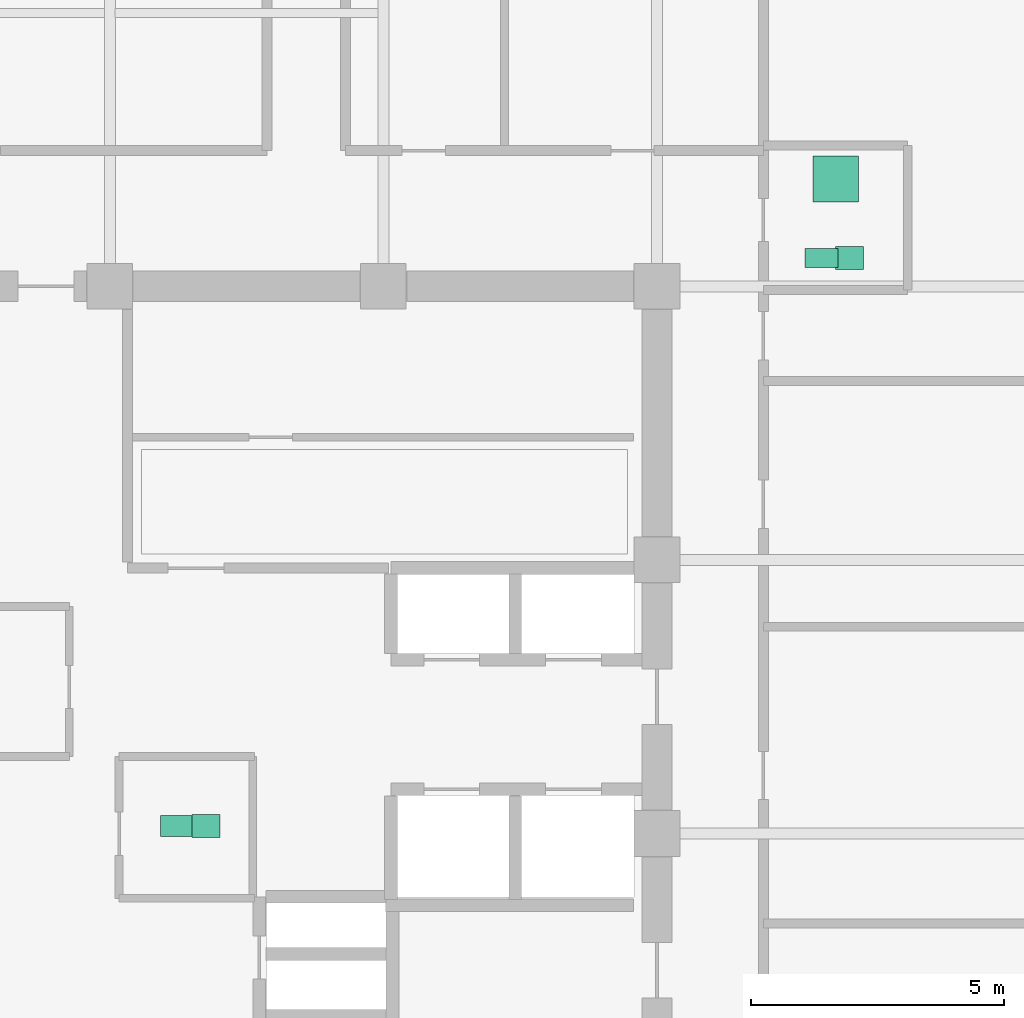
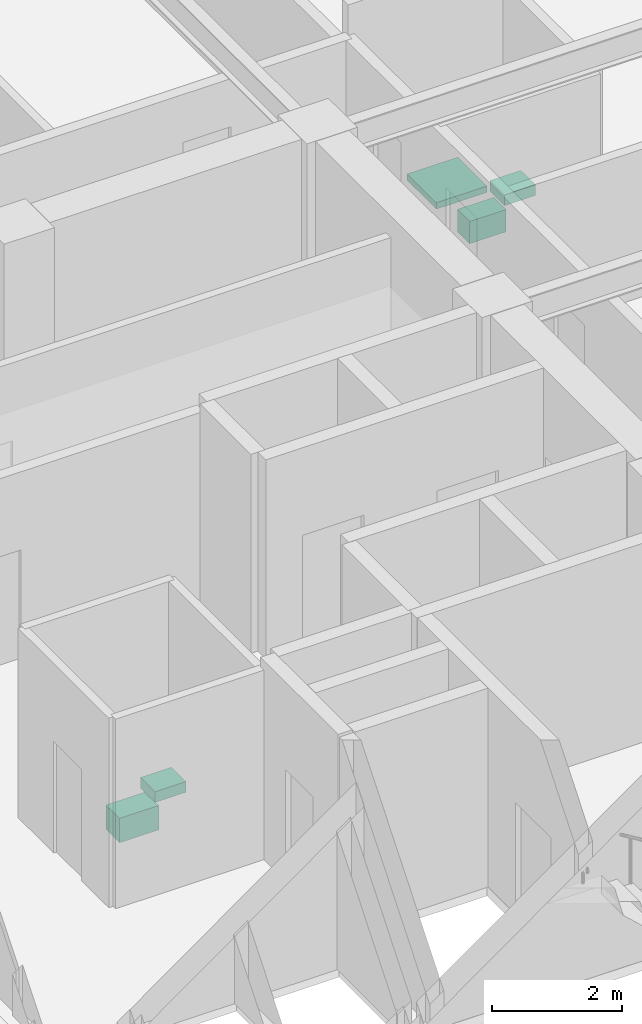
# One storey, part 31 of 31: 5 sanitary terminals.
"""IFC4 building model written with IfcOpenShell, lengths in metres."""

from ifc_helpers import new_model, si_unit, direction, frame, origin, origin_2d, place, context, subcontext, project, spatial, rectangle, extrude, material, type_object, element, save


model = new_model("IFC4")

# Units and contexts
model_context = context("Model", 3, precision=1e-05, world=origin(), true_north=direction((0.0, 1.0)))
body_context = subcontext(model_context, "Body", "Model", "MODEL_VIEW")
ifc_project = project(units=[si_unit("LENGTHUNIT", "METRE"), si_unit("AREAUNIT", "SQUARE_METRE"), si_unit("VOLUMEUNIT", "CUBIC_METRE"), si_unit("PLANEANGLEUNIT", "RADIAN"), si_unit("MASSUNIT", "GRAM", prefix="KILO")], contexts=[model_context])

# Site, building, storey
site_placement = place(None, origin())
site = spatial("IfcSite", under=ifc_project, at=site_placement, CompositionType="ELEMENT")
building_placement = place(site_placement, origin())
building = spatial("IfcBuilding", under=site, at=building_placement, Name="Surkhivell Harbour Commons", CompositionType="ELEMENT")
storey_placement = place(building_placement, frame((0.0, 0.0, 193.5)))
storey = spatial("IfcBuildingStorey", under=building, at=storey_placement, Name="L50", CompositionType="ELEMENT", Elevation=193.5)

# Sanitary terminals
ifc_material_1 = material(Name="Vitreous china washbasin", Category="other")
sanitary_terminal_type_1 = type_object("IfcSanitaryTerminalType", Name="SAN-BSN", PredefinedType="WASHHANDBASIN", material=ifc_material_1)
for number, where, z_axis, x_axis, name in (
    (1, (1.89990234375, 0.14990234375, 0.72021484375), (0.0, 0.0, 1.0), (1.0, 0.0, 0.0), "L50 Core Accessible WC Washbasin"),
    (2, (14.60009765625, 11.360107421875, 0.72021484375), (0.0, 0.0, 1.0), (1.0, 0.0, 0.0), "L50 East Communal Bathroom WC Washbasin"),
):
    element("IfcSanitaryTerminal", number, at=place(storey_placement, frame(where, z_axis=z_axis, x_axis=x_axis)), inside=storey, type_object=sanitary_terminal_type_1, Name=name, PredefinedType="WASHHANDBASIN", context=body_context, shape_type="SweptSolid", body=[
        extrude(rectangle(XDim=0.550048828125, YDim=0.449951171875, at=origin_2d()), origin(), (0.0, 0.0, 1.0), 0.199951171875),
    ])
ifc_material_2 = material(Name="Glazed porcelain shower tray", Category="other")
sanitary_terminal_type_2 = type_object("IfcSanitaryTerminalType", Name="SAN-SHW", PredefinedType="SHOWER", material=ifc_material_2)
sanitary_terminal_1_placement = place(storey_placement, frame((14.330078125, 12.919921875, 0.0), z_axis=(0.0, 0.0, 1.0), x_axis=(1.0, 0.0, 0.0)))
element("IfcSanitaryTerminal", 3, at=sanitary_terminal_1_placement, inside=storey, type_object=sanitary_terminal_type_2, Name="L50 East Communal Shower Tray", PredefinedType="SHOWER", context=body_context, shape_type="SweptSolid", body=[
    extrude(rectangle(XDim=0.89990234375, YDim=0.89990234375, at=origin_2d()), origin(), (0.0, 0.0, 1.0), 0.1201171875),
])
ifc_material_3 = material(Name="Vitreous china sanitaryware", Category="other")
sanitary_terminal_type_3 = type_object("IfcSanitaryTerminalType", Name="SAN-WC-ACC", PredefinedType="TOILETPAN", material=ifc_material_3)
sanitary_terminal_2_placement = place(storey_placement, frame((1.35009765625, 0.14990234375, 0.169921875), z_axis=(0.0, 0.0, 1.0), x_axis=(1.0, 0.0, 0.0)))
element("IfcSanitaryTerminal", 4, at=sanitary_terminal_2_placement, inside=storey, type_object=sanitary_terminal_type_3, Name="L50 Core Accessible WC", PredefinedType="TOILETPAN", context=body_context, shape_type="SweptSolid", body=[
    extrude(rectangle(XDim=0.699951171875, YDim=0.419921875, at=origin_2d()), origin(), (0.0, 0.0, 1.0), 0.4599609375),
])
sanitary_terminal_type_4 = type_object("IfcSanitaryTerminalType", Name="SAN-WC-STD", PredefinedType="TOILETPAN", material=ifc_material_3)
sanitary_terminal_3_placement = place(storey_placement, frame((14.050048828125, 11.360107421875, 0.18994140625), z_axis=(0.0, 0.0, 1.0), x_axis=(1.0, 0.0, 0.0)))
element("IfcSanitaryTerminal", 5, at=sanitary_terminal_3_placement, inside=storey, type_object=sanitary_terminal_type_4, Name="L50 East Communal Bathroom WC", PredefinedType="TOILETPAN", context=body_context, shape_type="SweptSolid", body=[
    extrude(rectangle(XDim=0.64990234375, YDim=0.3798828125, at=origin_2d()), origin(), (0.0, 0.0, 1.0), 0.419921875),
])

save(model, "model.ifc")
